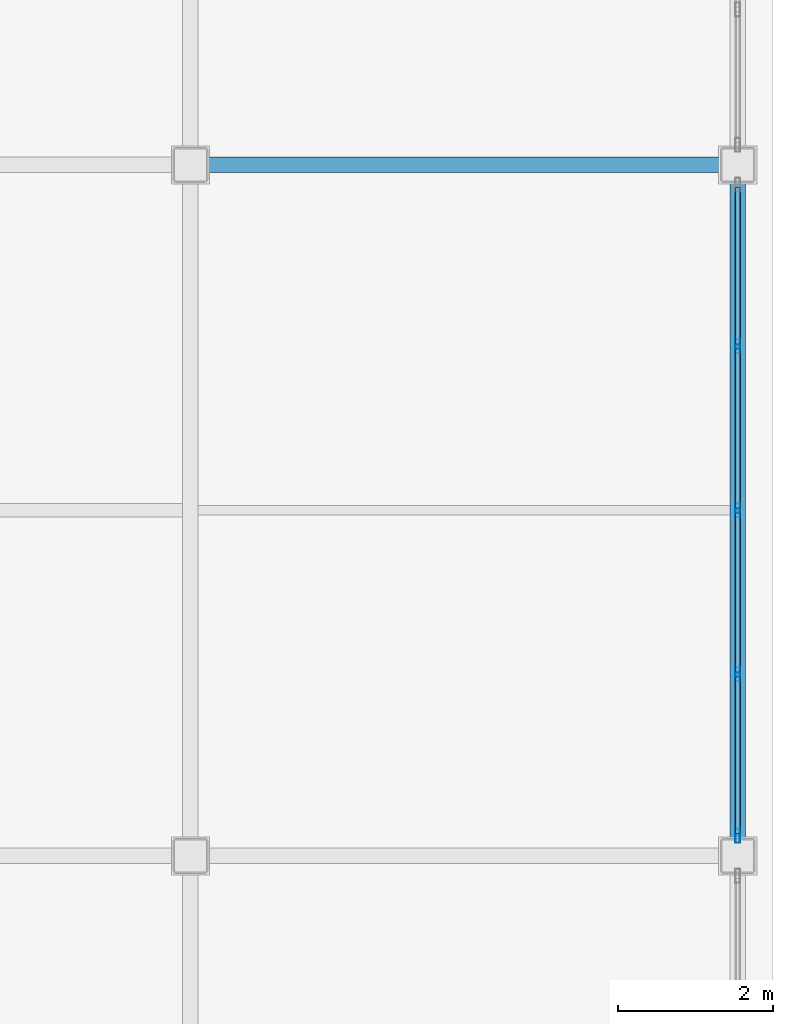
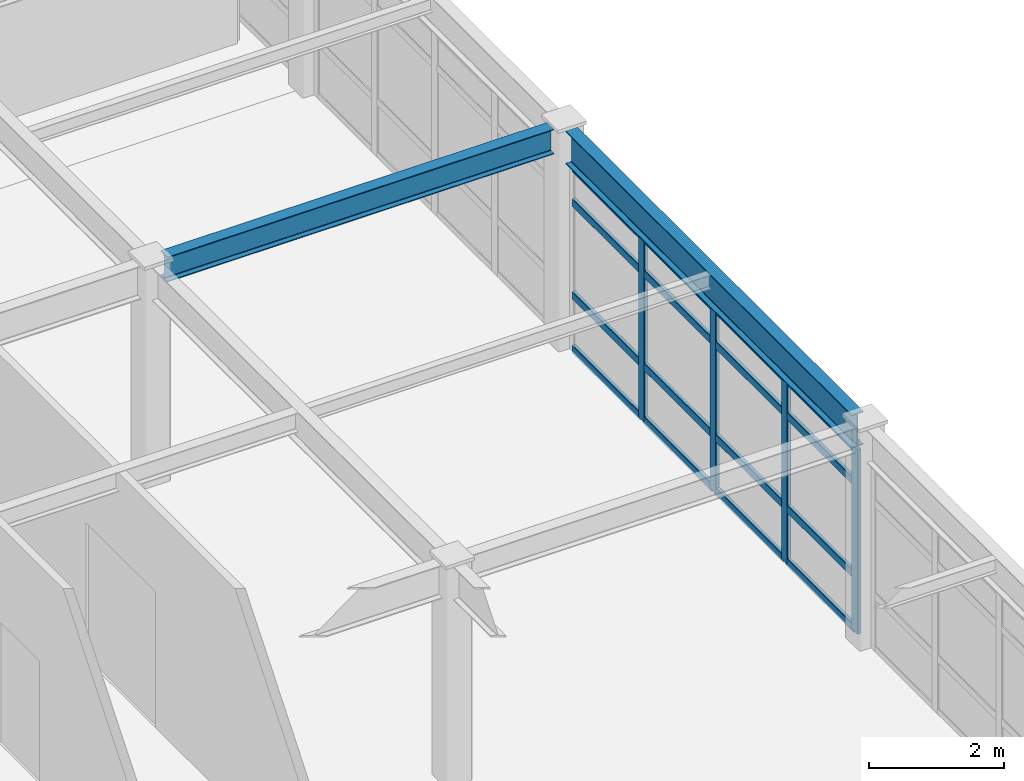
# One storey, part 13 of 34: 20 members, 2 beams, 1 element without a shape of its own.
"""IFC4 building model written with IfcOpenShell, lengths in metres."""

from ifc_helpers import new_model, si_unit, direction, frame, origin, origin_2d, place, context, subcontext, project, spatial, hollow_rectangle, i_section, extrude, material, layer, layer_set, material_profile, profile_set, type_object, element, aggregate, save


model = new_model("IFC4")

# Units and contexts
model_context = context("Model", 3, precision=1e-05, world=origin(), true_north=direction((0.0, 1.0)))
body_context = subcontext(model_context, "Body", "Model", "MODEL_VIEW")
ifc_project = project(units=[si_unit("LENGTHUNIT", "METRE"), si_unit("AREAUNIT", "SQUARE_METRE"), si_unit("VOLUMEUNIT", "CUBIC_METRE"), si_unit("PLANEANGLEUNIT", "RADIAN"), si_unit("MASSUNIT", "GRAM", prefix="KILO")], contexts=[model_context])

# Site, building, storey
site_placement = place(None, origin())
site = spatial("IfcSite", under=ifc_project, at=site_placement, CompositionType="ELEMENT")
building_placement = place(site_placement, origin())
building = spatial("IfcBuilding", under=site, at=building_placement, Name="Kazehara Bluff Congress Hotel", CompositionType="ELEMENT")
storey_placement = place(building_placement, frame((0.0, 0.0, 46.199951171875)))
storey = spatial("IfcBuildingStorey", under=building, at=storey_placement, Name="L11", CompositionType="ELEMENT", Elevation=46.199951171875)

# Curtain wall, members
ifc_material_1 = material(Name="Anodised aluminium", Category="aluminium")
ifc_layer = layer(ifc_material_1, 0.159912109375)
ifc_layer_set = layer_set([ifc_layer], Name="Anodised aluminium")
curtain_wall_type = type_object("IfcCurtainWallType", Name="TP-CW-85", PredefinedType="NOTDEFINED", material=ifc_layer_set)
curtain_wall_placement = place(storey_placement, origin())
curtain_wall = element("IfcCurtainWall", 1, at=curtain_wall_placement, inside=storey, type_object=curtain_wall_type, Name="L11 curtain wall CW-85 CW-V5-L11-X16755-3222", PredefinedType="NOTDEFINED")
ifc_material_2 = material(Name="Anodised aluminium", Category="aluminium")
ifc_material_profile_1 = material_profile(ifc_material_2, hollow_rectangle(XDim=0.06494140625, YDim=0.179931640625, WallThickness=0.00390625, InnerFilletRadius=0.00390625, OuterFilletRadius=0.008056640625, at=origin_2d()))
ifc_profile_set_1 = profile_set([ifc_material_profile_1], Name="Anodised aluminium")
member_type_1 = type_object("IfcMemberType", Name="TP-CWM-02", PredefinedType="MULLION", material=ifc_profile_set_1)
member_1_placement = place(storey_placement, frame((167.550048828125, 32.257568359375, 0.0), z_axis=(0.0, 0.0, 1.0), x_axis=(-1.0, 0.0, 0.0)))
member_1 = element("IfcMember", 2, at=member_1_placement, type_object=member_type_1, Name="CW-85 mullion 1", PredefinedType="MULLION", context=body_context, shape_type="SweptSolid", body=[
    extrude(hollow_rectangle(XDim=0.06494140625, YDim=0.179931640625, WallThickness=0.00390625, InnerFilletRadius=0.00390625, OuterFilletRadius=0.008056640625, at=origin_2d()), origin(), (0.0, 0.0, 1.0), 3.324951171875),
])
member_2_placement = place(storey_placement, frame((167.550048828125, 34.33740234375, 0.0), z_axis=(0.0, 0.0, 1.0), x_axis=(-1.0, 0.0, 0.0)))
member_2 = element("IfcMember", 3, at=member_2_placement, type_object=member_type_1, Name="CW-85 mullion 2", PredefinedType="MULLION", context=body_context, shape_type="SweptSolid", body=[
    extrude(hollow_rectangle(XDim=0.06494140625, YDim=0.179931640625, WallThickness=0.00390625, InnerFilletRadius=0.00390625, OuterFilletRadius=0.008056640625, at=origin_2d()), origin(), (0.0, 0.0, 1.0), 3.324951171875),
])
member_3_placement = place(storey_placement, frame((167.550048828125, 36.449951171875, 0.0), z_axis=(0.0, 0.0, 1.0), x_axis=(-1.0, 0.0, 0.0)))
member_3 = element("IfcMember", 4, at=member_3_placement, type_object=member_type_1, Name="CW-85 mullion 3", PredefinedType="MULLION", context=body_context, shape_type="SweptSolid", body=[
    extrude(hollow_rectangle(XDim=0.06494140625, YDim=0.179931640625, WallThickness=0.00390625, InnerFilletRadius=0.00390625, OuterFilletRadius=0.008056640625, at=origin_2d()), origin(), (0.0, 0.0, 1.0), 3.324951171875),
])
member_4_placement = place(storey_placement, frame((167.550048828125, 38.5625, 0.0), z_axis=(0.0, 0.0, 1.0), x_axis=(-1.0, 0.0, 0.0)))
member_4 = element("IfcMember", 5, at=member_4_placement, type_object=member_type_1, Name="CW-85 mullion 4", PredefinedType="MULLION", context=body_context, shape_type="SweptSolid", body=[
    extrude(hollow_rectangle(XDim=0.06494140625, YDim=0.179931640625, WallThickness=0.00390625, InnerFilletRadius=0.00390625, OuterFilletRadius=0.008056640625, at=origin_2d()), origin(), (0.0, 0.0, 1.0), 3.324951171875),
])
ifc_material_3 = material(Name="Anodised aluminium", Category="aluminium")
ifc_material_profile_2 = material_profile(ifc_material_3, hollow_rectangle(XDim=0.06494140625, YDim=0.139892578125, WallThickness=0.00390625, InnerFilletRadius=0.00390625, OuterFilletRadius=0.008056640625, at=origin_2d()))
ifc_profile_set_2 = profile_set([ifc_material_profile_2], Name="Anodised aluminium")
member_type_2 = type_object("IfcMemberType", Name="TP-CWT-02", PredefinedType="USERDEFINED", material=ifc_profile_set_2)
member_5_placement = place(storey_placement, frame((167.550048828125, 32.2900390625, 0.032470703125), z_axis=(0.0, 1.0, 0.0), x_axis=(-1.0, 0.0, 0.0)))
member_5 = element("IfcMember", 6, at=member_5_placement, type_object=member_type_2, Name="CW-85 transom 1.1", ObjectType="TRANSOM", PredefinedType="USERDEFINED", context=body_context, shape_type="SweptSolid", body=[
    extrude(hollow_rectangle(XDim=0.06494140625, YDim=0.139892578125, WallThickness=0.00390625, InnerFilletRadius=0.00390625, OuterFilletRadius=0.008056640625, at=origin_2d()), origin(), (0.0, 0.0, 1.0), 2.014892578125),
])
member_6_placement = place(storey_placement, frame((167.550048828125, 32.2900390625, 1.0), z_axis=(0.0, 1.0, 0.0), x_axis=(-1.0, 0.0, 0.0)))
member_6 = element("IfcMember", 7, at=member_6_placement, type_object=member_type_2, Name="CW-85 transom 1.2", ObjectType="TRANSOM", PredefinedType="USERDEFINED", context=body_context, shape_type="SweptSolid", body=[
    extrude(hollow_rectangle(XDim=0.06494140625, YDim=0.139892578125, WallThickness=0.00390625, InnerFilletRadius=0.00390625, OuterFilletRadius=0.008056640625, at=origin_2d()), origin(), (0.0, 0.0, 1.0), 2.014892578125),
])
member_7_placement = place(storey_placement, frame((167.550048828125, 32.2900390625, 2.675048828125), z_axis=(0.0, 1.0, 0.0), x_axis=(-1.0, 0.0, 0.0)))
member_7 = element("IfcMember", 8, at=member_7_placement, type_object=member_type_2, Name="CW-85 transom 1.3", ObjectType="TRANSOM", PredefinedType="USERDEFINED", context=body_context, shape_type="SweptSolid", body=[
    extrude(hollow_rectangle(XDim=0.06494140625, YDim=0.139892578125, WallThickness=0.00390625, InnerFilletRadius=0.00390625, OuterFilletRadius=0.008056640625, at=origin_2d()), origin(), (0.0, 0.0, 1.0), 2.014892578125),
])
member_8_placement = place(storey_placement, frame((167.550048828125, 32.2900390625, 3.29248046875), z_axis=(0.0, 1.0, 0.0), x_axis=(-1.0, 0.0, 0.0)))
member_8 = element("IfcMember", 9, at=member_8_placement, type_object=member_type_2, Name="CW-85 transom 1.4", ObjectType="TRANSOM", PredefinedType="USERDEFINED", context=body_context, shape_type="SweptSolid", body=[
    extrude(hollow_rectangle(XDim=0.06494140625, YDim=0.139892578125, WallThickness=0.00390625, InnerFilletRadius=0.00390625, OuterFilletRadius=0.008056640625, at=origin_2d()), origin(), (0.0, 0.0, 1.0), 2.014892578125),
])
member_9_placement = place(storey_placement, frame((167.550048828125, 34.3701171875, 0.032470703125), z_axis=(0.0, 1.0, 0.0), x_axis=(-1.0, 0.0, 0.0)))
member_9 = element("IfcMember", 10, at=member_9_placement, type_object=member_type_2, Name="CW-85 transom 2.1", ObjectType="TRANSOM", PredefinedType="USERDEFINED", context=body_context, shape_type="SweptSolid", body=[
    extrude(hollow_rectangle(XDim=0.06494140625, YDim=0.139892578125, WallThickness=0.00390625, InnerFilletRadius=0.00390625, OuterFilletRadius=0.008056640625, at=origin_2d()), origin(), (0.0, 0.0, 1.0), 2.04736328125),
])
member_10_placement = place(storey_placement, frame((167.550048828125, 34.3701171875, 1.0), z_axis=(0.0, 1.0, 0.0), x_axis=(-1.0, 0.0, 0.0)))
member_10 = element("IfcMember", 11, at=member_10_placement, type_object=member_type_2, Name="CW-85 transom 2.2", ObjectType="TRANSOM", PredefinedType="USERDEFINED", context=body_context, shape_type="SweptSolid", body=[
    extrude(hollow_rectangle(XDim=0.06494140625, YDim=0.139892578125, WallThickness=0.00390625, InnerFilletRadius=0.00390625, OuterFilletRadius=0.008056640625, at=origin_2d()), origin(), (0.0, 0.0, 1.0), 2.04736328125),
])
member_11_placement = place(storey_placement, frame((167.550048828125, 34.3701171875, 2.675048828125), z_axis=(0.0, 1.0, 0.0), x_axis=(-1.0, 0.0, 0.0)))
member_11 = element("IfcMember", 12, at=member_11_placement, type_object=member_type_2, Name="CW-85 transom 2.3", ObjectType="TRANSOM", PredefinedType="USERDEFINED", context=body_context, shape_type="SweptSolid", body=[
    extrude(hollow_rectangle(XDim=0.06494140625, YDim=0.139892578125, WallThickness=0.00390625, InnerFilletRadius=0.00390625, OuterFilletRadius=0.008056640625, at=origin_2d()), origin(), (0.0, 0.0, 1.0), 2.04736328125),
])
member_12_placement = place(storey_placement, frame((167.550048828125, 34.3701171875, 3.29248046875), z_axis=(0.0, 1.0, 0.0), x_axis=(-1.0, 0.0, 0.0)))
member_12 = element("IfcMember", 13, at=member_12_placement, type_object=member_type_2, Name="CW-85 transom 2.4", ObjectType="TRANSOM", PredefinedType="USERDEFINED", context=body_context, shape_type="SweptSolid", body=[
    extrude(hollow_rectangle(XDim=0.06494140625, YDim=0.139892578125, WallThickness=0.00390625, InnerFilletRadius=0.00390625, OuterFilletRadius=0.008056640625, at=origin_2d()), origin(), (0.0, 0.0, 1.0), 2.04736328125),
])
member_13_placement = place(storey_placement, frame((167.550048828125, 36.482421875, 0.032470703125), z_axis=(0.0, 1.0, 0.0), x_axis=(-1.0, 0.0, 0.0)))
member_13 = element("IfcMember", 14, at=member_13_placement, type_object=member_type_2, Name="CW-85 transom 3.1", ObjectType="TRANSOM", PredefinedType="USERDEFINED", context=body_context, shape_type="SweptSolid", body=[
    extrude(hollow_rectangle(XDim=0.06494140625, YDim=0.139892578125, WallThickness=0.00390625, InnerFilletRadius=0.00390625, OuterFilletRadius=0.008056640625, at=origin_2d()), origin(), (0.0, 0.0, 1.0), 2.047607421875),
])
member_14_placement = place(storey_placement, frame((167.550048828125, 36.482421875, 1.0), z_axis=(0.0, 1.0, 0.0), x_axis=(-1.0, 0.0, 0.0)))
member_14 = element("IfcMember", 15, at=member_14_placement, type_object=member_type_2, Name="CW-85 transom 3.2", ObjectType="TRANSOM", PredefinedType="USERDEFINED", context=body_context, shape_type="SweptSolid", body=[
    extrude(hollow_rectangle(XDim=0.06494140625, YDim=0.139892578125, WallThickness=0.00390625, InnerFilletRadius=0.00390625, OuterFilletRadius=0.008056640625, at=origin_2d()), origin(), (0.0, 0.0, 1.0), 2.047607421875),
])
member_15_placement = place(storey_placement, frame((167.550048828125, 36.482421875, 2.675048828125), z_axis=(0.0, 1.0, 0.0), x_axis=(-1.0, 0.0, 0.0)))
member_15 = element("IfcMember", 16, at=member_15_placement, type_object=member_type_2, Name="CW-85 transom 3.3", ObjectType="TRANSOM", PredefinedType="USERDEFINED", context=body_context, shape_type="SweptSolid", body=[
    extrude(hollow_rectangle(XDim=0.06494140625, YDim=0.139892578125, WallThickness=0.00390625, InnerFilletRadius=0.00390625, OuterFilletRadius=0.008056640625, at=origin_2d()), origin(), (0.0, 0.0, 1.0), 2.047607421875),
])
member_16_placement = place(storey_placement, frame((167.550048828125, 36.482421875, 3.29248046875), z_axis=(0.0, 1.0, 0.0), x_axis=(-1.0, 0.0, 0.0)))
member_16 = element("IfcMember", 17, at=member_16_placement, type_object=member_type_2, Name="CW-85 transom 3.4", ObjectType="TRANSOM", PredefinedType="USERDEFINED", context=body_context, shape_type="SweptSolid", body=[
    extrude(hollow_rectangle(XDim=0.06494140625, YDim=0.139892578125, WallThickness=0.00390625, InnerFilletRadius=0.00390625, OuterFilletRadius=0.008056640625, at=origin_2d()), origin(), (0.0, 0.0, 1.0), 2.047607421875),
])
member_17_placement = place(storey_placement, frame((167.550048828125, 38.594970703125, 0.032470703125), z_axis=(0.0, 1.0, 0.0), x_axis=(-1.0, 0.0, 0.0)))
member_17 = element("IfcMember", 18, at=member_17_placement, type_object=member_type_2, Name="CW-85 transom 4.1", ObjectType="TRANSOM", PredefinedType="USERDEFINED", context=body_context, shape_type="SweptSolid", body=[
    extrude(hollow_rectangle(XDim=0.06494140625, YDim=0.139892578125, WallThickness=0.00390625, InnerFilletRadius=0.00390625, OuterFilletRadius=0.008056640625, at=origin_2d()), origin(), (0.0, 0.0, 1.0), 2.01513671875),
])
member_18_placement = place(storey_placement, frame((167.550048828125, 38.594970703125, 1.0), z_axis=(0.0, 1.0, 0.0), x_axis=(-1.0, 0.0, 0.0)))
member_18 = element("IfcMember", 19, at=member_18_placement, type_object=member_type_2, Name="CW-85 transom 4.2", ObjectType="TRANSOM", PredefinedType="USERDEFINED", context=body_context, shape_type="SweptSolid", body=[
    extrude(hollow_rectangle(XDim=0.06494140625, YDim=0.139892578125, WallThickness=0.00390625, InnerFilletRadius=0.00390625, OuterFilletRadius=0.008056640625, at=origin_2d()), origin(), (0.0, 0.0, 1.0), 2.01513671875),
])
member_19_placement = place(storey_placement, frame((167.550048828125, 38.594970703125, 2.675048828125), z_axis=(0.0, 1.0, 0.0), x_axis=(-1.0, 0.0, 0.0)))
member_19 = element("IfcMember", 20, at=member_19_placement, type_object=member_type_2, Name="CW-85 transom 4.3", ObjectType="TRANSOM", PredefinedType="USERDEFINED", context=body_context, shape_type="SweptSolid", body=[
    extrude(hollow_rectangle(XDim=0.06494140625, YDim=0.139892578125, WallThickness=0.00390625, InnerFilletRadius=0.00390625, OuterFilletRadius=0.008056640625, at=origin_2d()), origin(), (0.0, 0.0, 1.0), 2.01513671875),
])
member_20_placement = place(storey_placement, frame((167.550048828125, 38.594970703125, 3.29248046875), z_axis=(0.0, 1.0, 0.0), x_axis=(-1.0, 0.0, 0.0)))
member_20 = element("IfcMember", 21, at=member_20_placement, type_object=member_type_2, Name="CW-85 transom 4.4", ObjectType="TRANSOM", PredefinedType="USERDEFINED", context=body_context, shape_type="SweptSolid", body=[
    extrude(hollow_rectangle(XDim=0.06494140625, YDim=0.139892578125, WallThickness=0.00390625, InnerFilletRadius=0.00390625, OuterFilletRadius=0.008056640625, at=origin_2d()), origin(), (0.0, 0.0, 1.0), 2.01513671875),
])
aggregate(curtain_wall, [member_1, member_2, member_3, member_4, member_5, member_6, member_7, member_8, member_9, member_10, member_11, member_12, member_13, member_14, member_15, member_16, member_17, member_18, member_19, member_20])

# Beams
ifc_material_4 = material(Name="Steel SN490B", Category="steel")
ifc_material_profile_3 = material_profile(ifc_material_4, i_section(OverallWidth=0.199951171875, OverallDepth=0.60009765625, WebThickness=0.010986328125, FlangeThickness=0.01708984375, FilletRadius=0.012939453125, at=origin_2d()))
ifc_profile_set_3 = profile_set([ifc_material_profile_3], Name="Steel SN490B")
beam_type_1 = type_object("IfcBeamType", Name="TP-G-02", PredefinedType="BEAM", material=ifc_profile_set_3)
beam_1_placement = place(storey_placement, frame((167.550048828125, 32.22509765625, 3.650146484375), z_axis=(0.0, 1.0, 0.0), x_axis=(-1.0, 0.0, 0.0)))
element("IfcBeam", 22, at=beam_1_placement, inside=storey, type_object=beam_type_1, Name="L11 girder G-02 21", PredefinedType="BEAM", context=body_context, shape_type="SweptSolid", body=[
    extrude(i_section(OverallWidth=0.199951171875, OverallDepth=0.60009765625, WebThickness=0.010986328125, FlangeThickness=0.01708984375, FilletRadius=0.012939453125, at=origin_2d()), origin(), (0.0, 0.0, 1.0), 8.449951171875),
])
ifc_material_5 = material(Name="Steel SN490B", Category="steel")
ifc_material_profile_4 = material_profile(ifc_material_5, i_section(OverallWidth=0.199951171875, OverallDepth=0.449951171875, WebThickness=0.009033203125, FlangeThickness=0.013916015625, FilletRadius=0.012939453125, at=origin_2d()))
ifc_profile_set_4 = profile_set([ifc_material_profile_4], Name="Steel SN490B")
beam_type_2 = type_object("IfcBeamType", Name="TP-G-11", PredefinedType="BEAM", material=ifc_profile_set_4)
beam_2_placement = place(storey_placement, frame((160.72509765625, 40.89990234375, 3.72509765625), z_axis=(1.0, 0.0, 0.0), x_axis=(0.0, 1.0, 0.0)))
element("IfcBeam", 23, at=beam_2_placement, inside=storey, type_object=beam_type_2, Name="L11 girder G-11 36", PredefinedType="BEAM", context=body_context, shape_type="SweptSolid", body=[
    extrude(i_section(OverallWidth=0.199951171875, OverallDepth=0.449951171875, WebThickness=0.009033203125, FlangeThickness=0.013916015625, FilletRadius=0.012939453125, at=origin_2d()), origin(), (0.0, 0.0, 1.0), 6.599853515625),
])

save(model, "model.ifc")
